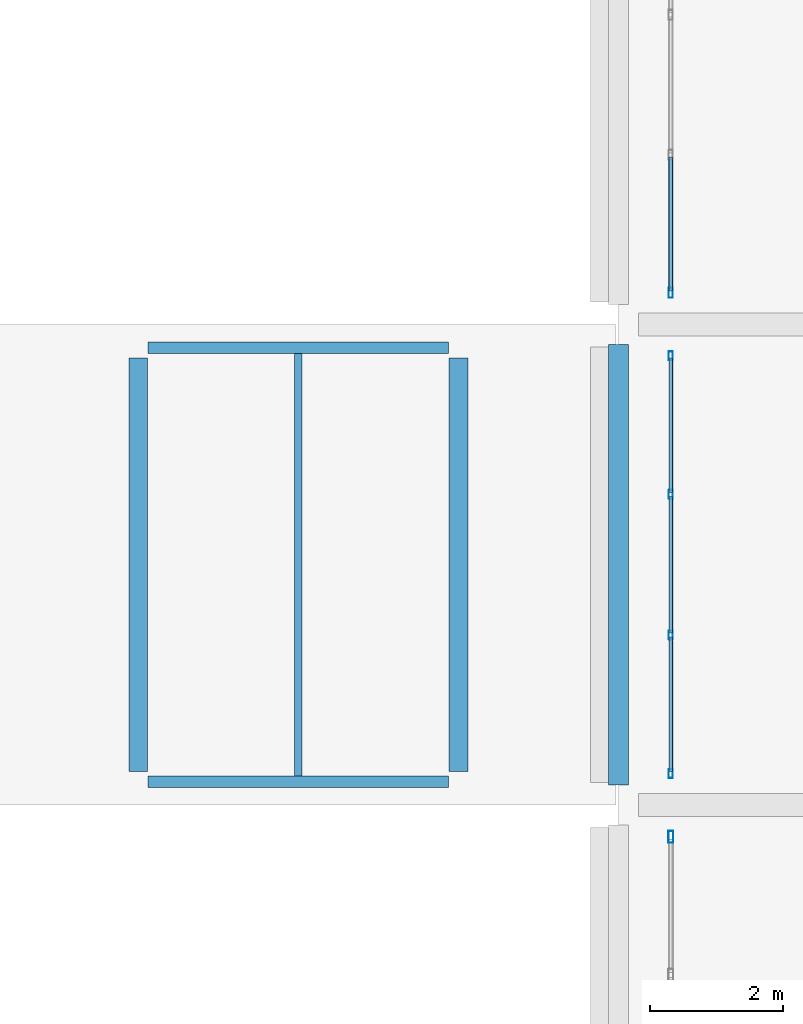
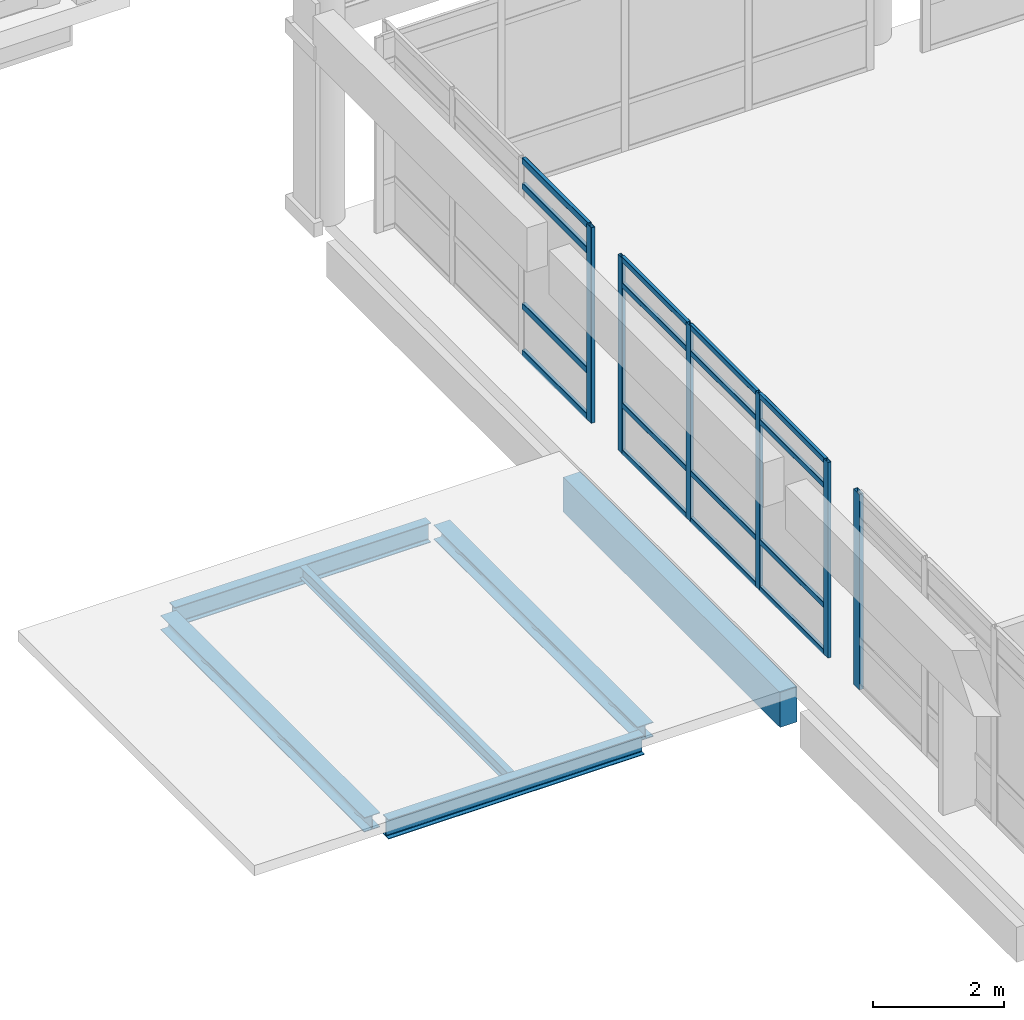
# One storey, part 64 of 180: 22 members, 6 beams, 3 elements without a shape of their own.
"""IFC4 building model written with IfcOpenShell, lengths in metres."""

from ifc_helpers import new_model, si_unit, direction, frame, origin, origin_2d, place, context, subcontext, project, spatial, rectangle, hollow_rectangle, i_section, extrude, material, layer, layer_set, material_profile, profile_set, type_object, element, aggregate, save


model = new_model("IFC4")

# Units and contexts
model_context = context("Model", 3, precision=1e-05, world=origin(), true_north=direction((0.0, 1.0)))
body_context = subcontext(model_context, "Body", "Model", "MODEL_VIEW")
ifc_project = project(units=[si_unit("LENGTHUNIT", "METRE"), si_unit("AREAUNIT", "SQUARE_METRE"), si_unit("VOLUMEUNIT", "CUBIC_METRE"), si_unit("PLANEANGLEUNIT", "RADIAN"), si_unit("MASSUNIT", "GRAM", prefix="KILO")], contexts=[model_context])

# Site, building, storey
site_placement = place(None, origin())
site = spatial("IfcSite", under=ifc_project, at=site_placement, CompositionType="ELEMENT")
building_placement = place(site_placement, origin())
building = spatial("IfcBuilding", under=site, at=building_placement, Name="Asteropetra Specialist Clinic", CompositionType="ELEMENT")
storey_placement = place(building_placement, frame((0.0, 0.0, 4.419921875)))
storey = spatial("IfcBuildingStorey", under=building, at=storey_placement, Name="L01", CompositionType="ELEMENT", Elevation=4.419921875)

# Beams
ifc_material_1 = material(Name="Steel S355", Category="steel")
ifc_material_profile_1 = material_profile(ifc_material_1, i_section(OverallWidth=0.280029296875, OverallDepth=0.27001953125, WebThickness=0.008056640625, FlangeThickness=0.012939453125, FilletRadius=0.02392578125, at=origin_2d()), Name="HEA 280")
ifc_profile_set_1 = profile_set([ifc_material_profile_1], Name="Steel S355")
beam_type_1 = type_object("IfcBeamType", Name="BM-STL-HEA280", PredefinedType="BEAM", material=ifc_profile_set_1)
for number, where, z_axis, x_axis, name in (
    (1, (69.60009765625, 48.5, -0.324951171875), (0.0, 1.0, 0.0), (-1.0, 0.0, 0.0), "Beam BBMS6-0840"),
    (2, (74.39990234375, 48.5, -0.324951171875), (0.0, 1.0, 0.0), (-1.0, 0.0, 0.0), "Beam BBMS6-0841"),
):
    element("IfcBeam", number, at=place(storey_placement, frame(where, z_axis=z_axis, x_axis=x_axis)), inside=storey, type_object=beam_type_1, Name=name, PredefinedType="BEAM", context=body_context, shape_type="SweptSolid", body=[
        extrude(i_section(OverallWidth=0.280029296875, OverallDepth=0.27001953125, WebThickness=0.008056640625, FlangeThickness=0.012939453125, FilletRadius=0.02392578125, at=origin_2d()), origin(), (0.0, 0.0, 1.0), 6.199951171875),
    ])
ifc_material_2 = material(Name="Steel S355", Category="steel")
ifc_material_profile_2 = material_profile(ifc_material_2, i_section(OverallWidth=0.169921875, OverallDepth=0.360107421875, WebThickness=0.008056640625, FlangeThickness=0.0126953125, FilletRadius=0.01806640625, at=origin_2d()), Name="IPE 360")
ifc_profile_set_2 = profile_set([ifc_material_profile_2], Name="Steel S355")
beam_type_2 = type_object("IfcBeamType", Name="BM-STL-IPE360", PredefinedType="BEAM", material=ifc_profile_set_2)
for number, where, z_axis, x_axis, name in (
    (3, (69.75, 48.35009765625, -0.369873046875), (1.0, 0.0, 0.0), (0.0, 1.0, 0.0), "Beam BBMS4-0838"),
    (4, (69.75, 54.85009765625, -0.369873046875), (1.0, 0.0, 0.0), (0.0, 1.0, 0.0), "Beam BBMS4-0839"),
):
    element("IfcBeam", number, at=place(storey_placement, frame(where, z_axis=z_axis, x_axis=x_axis)), inside=storey, type_object=beam_type_2, Name=name, PredefinedType="BEAM", context=body_context, shape_type="SweptSolid", body=[
        extrude(i_section(OverallWidth=0.169921875, OverallDepth=0.360107421875, WebThickness=0.008056640625, FlangeThickness=0.0126953125, FilletRadius=0.01806640625, at=origin_2d()), origin(), (0.0, 0.0, 1.0), 4.5),
    ])

# Curtain wall, members
ifc_material_3 = material(Name="Aluminium and low-E glass", Category="aluminium")
ifc_layer_1 = layer(ifc_material_3, 0.179931640625)
ifc_layer_set_1 = layer_set([ifc_layer_1], Name="Aluminium and low-E glass")
curtain_wall_type_1 = type_object("IfcCurtainWallType", Name="CW-SYS-10", PredefinedType="USERDEFINED", material=ifc_layer_set_1)
curtain_wall_1_placement = place(storey_placement, origin())
curtain_wall_1 = element("IfcCurtainWall", 5, at=curtain_wall_1_placement, inside=storey, type_object=curtain_wall_type_1, Name="Curtain Wall CW-179", ObjectType="STICK GLAZED COLONNADE", PredefinedType="USERDEFINED")
ifc_material_4 = material(Name="Aluminium 6063-T6", Category="aluminium")
ifc_material_profile_3 = material_profile(ifc_material_4, hollow_rectangle(XDim=0.06005859375, YDim=0.135009765625, WallThickness=0.00341796875, InnerFilletRadius=0.00341796875, OuterFilletRadius=0.007080078125, at=origin_2d()), Name="MUL 135x60x3.5")
ifc_profile_set_3 = profile_set([ifc_material_profile_3], Name="Aluminium 6063-T6")
member_type_1 = type_object("IfcMemberType", Name="CWM-135x60", PredefinedType="MULLION", material=ifc_profile_set_3)
member_1_placement = place(storey_placement, frame((77.580078125, 54.72998046875, 0.0), z_axis=(0.0, 0.0, 1.0), x_axis=(1.0, 0.0, 0.0)))
member_1 = element("IfcMember", 6, at=member_1_placement, type_object=member_type_1, Name="CW-179 mullion 1", PredefinedType="MULLION", context=body_context, shape_type="SweptSolid", body=[
    extrude(hollow_rectangle(XDim=0.06005859375, YDim=0.135009765625, WallThickness=0.00341796875, InnerFilletRadius=0.00341796875, OuterFilletRadius=0.007080078125, at=origin_2d()), origin(), (0.0, 0.0, 1.0), 3.630126953125),
])
member_2_placement = place(storey_placement, frame((77.580078125, 52.6533203125, 0.0), z_axis=(0.0, 0.0, 1.0), x_axis=(1.0, 0.0, 0.0)))
member_2 = element("IfcMember", 7, at=member_2_placement, type_object=member_type_1, Name="CW-179 mullion 2", PredefinedType="MULLION", context=body_context, shape_type="SweptSolid", body=[
    extrude(hollow_rectangle(XDim=0.06005859375, YDim=0.135009765625, WallThickness=0.00341796875, InnerFilletRadius=0.00341796875, OuterFilletRadius=0.007080078125, at=origin_2d()), origin(), (0.0, 0.0, 1.0), 3.630126953125),
])
member_3_placement = place(storey_placement, frame((77.580078125, 50.546630859375, 0.0), z_axis=(0.0, 0.0, 1.0), x_axis=(1.0, 0.0, 0.0)))
member_3 = element("IfcMember", 8, at=member_3_placement, type_object=member_type_1, Name="CW-179 mullion 3", PredefinedType="MULLION", context=body_context, shape_type="SweptSolid", body=[
    extrude(hollow_rectangle(XDim=0.06005859375, YDim=0.135009765625, WallThickness=0.00341796875, InnerFilletRadius=0.00341796875, OuterFilletRadius=0.007080078125, at=origin_2d()), origin(), (0.0, 0.0, 1.0), 3.630126953125),
])
member_4_placement = place(storey_placement, frame((77.580078125, 48.469970703125, 0.0), z_axis=(0.0, 0.0, 1.0), x_axis=(1.0, 0.0, 0.0)))
member_4 = element("IfcMember", 9, at=member_4_placement, type_object=member_type_1, Name="CW-179 mullion 4", PredefinedType="MULLION", context=body_context, shape_type="SweptSolid", body=[
    extrude(hollow_rectangle(XDim=0.06005859375, YDim=0.135009765625, WallThickness=0.00341796875, InnerFilletRadius=0.00341796875, OuterFilletRadius=0.007080078125, at=origin_2d()), origin(), (0.0, 0.0, 1.0), 3.630126953125),
])

# Curtain wall, member
ifc_material_5 = material(Name="Aluminium and low-E glass", Category="aluminium")
ifc_layer_2 = layer(ifc_material_5, 0.179931640625)
ifc_layer_set_2 = layer_set([ifc_layer_2], Name="Aluminium and low-E glass")
curtain_wall_type_2 = type_object("IfcCurtainWallType", Name="CW-SYS-01", PredefinedType="USERDEFINED", material=ifc_layer_set_2)
curtain_wall_2_placement = place(storey_placement, origin())
curtain_wall_2 = element("IfcCurtainWall", 10, at=curtain_wall_2_placement, inside=storey, type_object=curtain_wall_type_2, Name="Curtain Wall CW-181", ObjectType="UNITISED CURTAIN WALL", PredefinedType="USERDEFINED")
ifc_material_6 = material(Name="Aluminium 6063-T6", Category="aluminium")
ifc_material_profile_4 = material_profile(ifc_material_6, hollow_rectangle(XDim=0.06494140625, YDim=0.14990234375, WallThickness=0.00390625, InnerFilletRadius=0.00390625, OuterFilletRadius=0.008056640625, at=origin_2d()), Name="MUL 150x65x4.0")
ifc_profile_set_4 = profile_set([ifc_material_profile_4], Name="Aluminium 6063-T6")
member_type_2 = type_object("IfcMemberType", Name="CWM-150x65", PredefinedType="MULLION", material=ifc_profile_set_4)
member_5_placement = place(storey_placement, frame((77.580078125, 55.672607421875, 0.0), z_axis=(0.0, 0.0, 1.0), x_axis=(1.0, 0.0, 0.0)))
member_5 = element("IfcMember", 11, at=member_5_placement, type_object=member_type_2, Name="CW-181 mullion 4", PredefinedType="MULLION", context=body_context, shape_type="SweptSolid", body=[
    extrude(hollow_rectangle(XDim=0.06494140625, YDim=0.14990234375, WallThickness=0.00390625, InnerFilletRadius=0.00390625, OuterFilletRadius=0.008056640625, at=origin_2d()), origin(), (0.0, 0.0, 1.0), 3.630126953125),
])

curtain_wall_3_placement = place(storey_placement, origin())
curtain_wall_3 = element("IfcCurtainWall", 12, at=curtain_wall_3_placement, inside=storey, type_object=curtain_wall_type_1, Name="Curtain Wall CW-177", ObjectType="STICK GLAZED COLONNADE", PredefinedType="USERDEFINED")
ifc_material_7 = material(Name="Aluminium 6063-T6", Category="aluminium")
ifc_material_profile_5 = material_profile(ifc_material_7, hollow_rectangle(XDim=0.074951171875, YDim=0.179931640625, WallThickness=0.00390625, InnerFilletRadius=0.00390625, OuterFilletRadius=0.008056640625, at=origin_2d()), Name="MUL 180x75x4.0")
ifc_profile_set_5 = profile_set([ifc_material_profile_5], Name="Aluminium 6063-T6")
member_type_3 = type_object("IfcMemberType", Name="CWM-180x75", PredefinedType="MULLION", material=ifc_profile_set_5)
member_6_placement = place(storey_placement, frame((77.580078125, 47.5224609375, 0.0), z_axis=(0.0, 0.0, 1.0), x_axis=(1.0, 0.0, 0.0)))
member_6 = element("IfcMember", 13, at=member_6_placement, type_object=member_type_3, Name="CW-177 mullion 1", PredefinedType="MULLION", context=body_context, shape_type="SweptSolid", body=[
    extrude(hollow_rectangle(XDim=0.074951171875, YDim=0.179931640625, WallThickness=0.00390625, InnerFilletRadius=0.00390625, OuterFilletRadius=0.008056640625, at=origin_2d()), origin(), (0.0, 0.0, 1.0), 3.630126953125),
])
aggregate(curtain_wall_3, [member_6])

# Member
ifc_material_8 = material(Name="Aluminium 6063-T6", Category="aluminium")
ifc_material_profile_6 = material_profile(ifc_material_8, hollow_rectangle(XDim=0.06005859375, YDim=0.10009765625, WallThickness=0.00341796875, InnerFilletRadius=0.00341796875, OuterFilletRadius=0.007080078125, at=origin_2d()), Name="TRN 100x60x3.5")
ifc_profile_set_6 = profile_set([ifc_material_profile_6], Name="Aluminium 6063-T6")
member_type_4 = type_object("IfcMemberType", Name="CWT-100x60", PredefinedType="USERDEFINED", material=ifc_profile_set_6)
member_7_placement = place(storey_placement, frame((77.580078125, 54.699951171875, 0.030029296875), z_axis=(0.0, -1.0, 0.0), x_axis=(1.0, 0.0, 0.0)))
member_7 = element("IfcMember", 14, at=member_7_placement, type_object=member_type_4, Name="CW-179 transom 1.1", ObjectType="TRANSOM", PredefinedType="USERDEFINED", context=body_context, shape_type="SweptSolid", body=[
    extrude(hollow_rectangle(XDim=0.06005859375, YDim=0.10009765625, WallThickness=0.00341796875, InnerFilletRadius=0.00341796875, OuterFilletRadius=0.007080078125, at=origin_2d()), origin(), (0.0, 0.0, 1.0), 2.0166015625),
])

member_8_placement = place(storey_placement, frame((77.580078125, 54.699951171875, 0.900146484375), z_axis=(0.0, -1.0, 0.0), x_axis=(1.0, 0.0, 0.0)))
member_8 = element("IfcMember", 15, at=member_8_placement, type_object=member_type_4, Name="CW-179 transom 1.2", ObjectType="TRANSOM", PredefinedType="USERDEFINED", context=body_context, shape_type="SweptSolid", body=[
    extrude(hollow_rectangle(XDim=0.06005859375, YDim=0.10009765625, WallThickness=0.00341796875, InnerFilletRadius=0.00341796875, OuterFilletRadius=0.007080078125, at=origin_2d()), origin(), (0.0, 0.0, 1.0), 2.0166015625),
])

member_9_placement = place(storey_placement, frame((77.580078125, 54.699951171875, 3.130126953125), z_axis=(0.0, -1.0, 0.0), x_axis=(1.0, 0.0, 0.0)))
member_9 = element("IfcMember", 16, at=member_9_placement, type_object=member_type_4, Name="CW-179 transom 1.3", ObjectType="TRANSOM", PredefinedType="USERDEFINED", context=body_context, shape_type="SweptSolid", body=[
    extrude(hollow_rectangle(XDim=0.06005859375, YDim=0.10009765625, WallThickness=0.00341796875, InnerFilletRadius=0.00341796875, OuterFilletRadius=0.007080078125, at=origin_2d()), origin(), (0.0, 0.0, 1.0), 2.0166015625),
])

member_10_placement = place(storey_placement, frame((77.580078125, 54.699951171875, 3.60009765625), z_axis=(0.0, -1.0, 0.0), x_axis=(1.0, 0.0, 0.0)))
member_10 = element("IfcMember", 17, at=member_10_placement, type_object=member_type_4, Name="CW-179 transom 1.4", ObjectType="TRANSOM", PredefinedType="USERDEFINED", context=body_context, shape_type="SweptSolid", body=[
    extrude(hollow_rectangle(XDim=0.06005859375, YDim=0.10009765625, WallThickness=0.00341796875, InnerFilletRadius=0.00341796875, OuterFilletRadius=0.007080078125, at=origin_2d()), origin(), (0.0, 0.0, 1.0), 2.0166015625),
])

member_11_placement = place(storey_placement, frame((77.580078125, 52.623291015625, 0.030029296875), z_axis=(0.0, -1.0, 0.0), x_axis=(1.0, 0.0, 0.0)))
member_11 = element("IfcMember", 18, at=member_11_placement, type_object=member_type_4, Name="CW-179 transom 2.1", ObjectType="TRANSOM", PredefinedType="USERDEFINED", context=body_context, shape_type="SweptSolid", body=[
    extrude(hollow_rectangle(XDim=0.06005859375, YDim=0.10009765625, WallThickness=0.00341796875, InnerFilletRadius=0.00341796875, OuterFilletRadius=0.007080078125, at=origin_2d()), origin(), (0.0, 0.0, 1.0), 2.046630859375),
])

member_12_placement = place(storey_placement, frame((77.580078125, 52.623291015625, 0.900146484375), z_axis=(0.0, -1.0, 0.0), x_axis=(1.0, 0.0, 0.0)))
member_12 = element("IfcMember", 19, at=member_12_placement, type_object=member_type_4, Name="CW-179 transom 2.2", ObjectType="TRANSOM", PredefinedType="USERDEFINED", context=body_context, shape_type="SweptSolid", body=[
    extrude(hollow_rectangle(XDim=0.06005859375, YDim=0.10009765625, WallThickness=0.00341796875, InnerFilletRadius=0.00341796875, OuterFilletRadius=0.007080078125, at=origin_2d()), origin(), (0.0, 0.0, 1.0), 2.046630859375),
])

member_13_placement = place(storey_placement, frame((77.580078125, 52.623291015625, 3.130126953125), z_axis=(0.0, -1.0, 0.0), x_axis=(1.0, 0.0, 0.0)))
member_13 = element("IfcMember", 20, at=member_13_placement, type_object=member_type_4, Name="CW-179 transom 2.3", ObjectType="TRANSOM", PredefinedType="USERDEFINED", context=body_context, shape_type="SweptSolid", body=[
    extrude(hollow_rectangle(XDim=0.06005859375, YDim=0.10009765625, WallThickness=0.00341796875, InnerFilletRadius=0.00341796875, OuterFilletRadius=0.007080078125, at=origin_2d()), origin(), (0.0, 0.0, 1.0), 2.046630859375),
])

member_14_placement = place(storey_placement, frame((77.580078125, 52.623291015625, 3.60009765625), z_axis=(0.0, -1.0, 0.0), x_axis=(1.0, 0.0, 0.0)))
member_14 = element("IfcMember", 21, at=member_14_placement, type_object=member_type_4, Name="CW-179 transom 2.4", ObjectType="TRANSOM", PredefinedType="USERDEFINED", context=body_context, shape_type="SweptSolid", body=[
    extrude(hollow_rectangle(XDim=0.06005859375, YDim=0.10009765625, WallThickness=0.00341796875, InnerFilletRadius=0.00341796875, OuterFilletRadius=0.007080078125, at=origin_2d()), origin(), (0.0, 0.0, 1.0), 2.046630859375),
])

member_15_placement = place(storey_placement, frame((77.580078125, 50.5166015625, 0.030029296875), z_axis=(0.0, -1.0, 0.0), x_axis=(1.0, 0.0, 0.0)))
member_15 = element("IfcMember", 22, at=member_15_placement, type_object=member_type_4, Name="CW-179 transom 3.1", ObjectType="TRANSOM", PredefinedType="USERDEFINED", context=body_context, shape_type="SweptSolid", body=[
    extrude(hollow_rectangle(XDim=0.06005859375, YDim=0.10009765625, WallThickness=0.00341796875, InnerFilletRadius=0.00341796875, OuterFilletRadius=0.007080078125, at=origin_2d()), origin(), (0.0, 0.0, 1.0), 2.0166015625),
])

member_16_placement = place(storey_placement, frame((77.580078125, 50.5166015625, 0.900146484375), z_axis=(0.0, -1.0, 0.0), x_axis=(1.0, 0.0, 0.0)))
member_16 = element("IfcMember", 23, at=member_16_placement, type_object=member_type_4, Name="CW-179 transom 3.2", ObjectType="TRANSOM", PredefinedType="USERDEFINED", context=body_context, shape_type="SweptSolid", body=[
    extrude(hollow_rectangle(XDim=0.06005859375, YDim=0.10009765625, WallThickness=0.00341796875, InnerFilletRadius=0.00341796875, OuterFilletRadius=0.007080078125, at=origin_2d()), origin(), (0.0, 0.0, 1.0), 2.0166015625),
])

member_17_placement = place(storey_placement, frame((77.580078125, 50.5166015625, 3.130126953125), z_axis=(0.0, -1.0, 0.0), x_axis=(1.0, 0.0, 0.0)))
member_17 = element("IfcMember", 24, at=member_17_placement, type_object=member_type_4, Name="CW-179 transom 3.3", ObjectType="TRANSOM", PredefinedType="USERDEFINED", context=body_context, shape_type="SweptSolid", body=[
    extrude(hollow_rectangle(XDim=0.06005859375, YDim=0.10009765625, WallThickness=0.00341796875, InnerFilletRadius=0.00341796875, OuterFilletRadius=0.007080078125, at=origin_2d()), origin(), (0.0, 0.0, 1.0), 2.0166015625),
])

member_18_placement = place(storey_placement, frame((77.580078125, 50.5166015625, 3.60009765625), z_axis=(0.0, -1.0, 0.0), x_axis=(1.0, 0.0, 0.0)))
member_18 = element("IfcMember", 25, at=member_18_placement, type_object=member_type_4, Name="CW-179 transom 3.4", ObjectType="TRANSOM", PredefinedType="USERDEFINED", context=body_context, shape_type="SweptSolid", body=[
    extrude(hollow_rectangle(XDim=0.06005859375, YDim=0.10009765625, WallThickness=0.00341796875, InnerFilletRadius=0.00341796875, OuterFilletRadius=0.007080078125, at=origin_2d()), origin(), (0.0, 0.0, 1.0), 2.0166015625),
])

aggregate(curtain_wall_1, [member_1, member_2, member_3, member_4, member_7, member_8, member_9, member_10, member_11, member_12, member_13, member_14, member_15, member_16, member_17, member_18])

ifc_material_9 = material(Name="Aluminium 6063-T6", Category="aluminium")
ifc_material_profile_7 = material_profile(ifc_material_9, hollow_rectangle(XDim=0.06494140625, YDim=0.1201171875, WallThickness=0.00390625, InnerFilletRadius=0.00390625, OuterFilletRadius=0.008056640625, at=origin_2d()), Name="TRN 120x65x4.0")
ifc_profile_set_7 = profile_set([ifc_material_profile_7], Name="Aluminium 6063-T6")
member_type_5 = type_object("IfcMemberType", Name="CWT-120x65", PredefinedType="USERDEFINED", material=ifc_profile_set_7)
member_19_placement = place(storey_placement, frame((77.580078125, 57.70751953125, 0.032470703125), z_axis=(0.0, -1.0, 0.0), x_axis=(1.0, 0.0, 0.0)))
member_19 = element("IfcMember", 26, at=member_19_placement, type_object=member_type_5, Name="CW-181 transom 3.1", ObjectType="TRANSOM", PredefinedType="USERDEFINED", context=body_context, shape_type="SweptSolid", body=[
    extrude(hollow_rectangle(XDim=0.06494140625, YDim=0.1201171875, WallThickness=0.00390625, InnerFilletRadius=0.00390625, OuterFilletRadius=0.008056640625, at=origin_2d()), origin(), (0.0, 0.0, 1.0), 2.00244140625),
])

member_20_placement = place(storey_placement, frame((77.580078125, 57.70751953125, 0.900146484375), z_axis=(0.0, -1.0, 0.0), x_axis=(1.0, 0.0, 0.0)))
member_20 = element("IfcMember", 27, at=member_20_placement, type_object=member_type_5, Name="CW-181 transom 3.2", ObjectType="TRANSOM", PredefinedType="USERDEFINED", context=body_context, shape_type="SweptSolid", body=[
    extrude(hollow_rectangle(XDim=0.06494140625, YDim=0.1201171875, WallThickness=0.00390625, InnerFilletRadius=0.00390625, OuterFilletRadius=0.008056640625, at=origin_2d()), origin(), (0.0, 0.0, 1.0), 2.00244140625),
])

member_21_placement = place(storey_placement, frame((77.580078125, 57.70751953125, 3.130126953125), z_axis=(0.0, -1.0, 0.0), x_axis=(1.0, 0.0, 0.0)))
member_21 = element("IfcMember", 28, at=member_21_placement, type_object=member_type_5, Name="CW-181 transom 3.3", ObjectType="TRANSOM", PredefinedType="USERDEFINED", context=body_context, shape_type="SweptSolid", body=[
    extrude(hollow_rectangle(XDim=0.06494140625, YDim=0.1201171875, WallThickness=0.00390625, InnerFilletRadius=0.00390625, OuterFilletRadius=0.008056640625, at=origin_2d()), origin(), (0.0, 0.0, 1.0), 2.00244140625),
])

member_22_placement = place(storey_placement, frame((77.580078125, 57.70751953125, 3.59765625), z_axis=(0.0, -1.0, 0.0), x_axis=(1.0, 0.0, 0.0)))
member_22 = element("IfcMember", 29, at=member_22_placement, type_object=member_type_5, Name="CW-181 transom 3.4", ObjectType="TRANSOM", PredefinedType="USERDEFINED", context=body_context, shape_type="SweptSolid", body=[
    extrude(hollow_rectangle(XDim=0.06494140625, YDim=0.1201171875, WallThickness=0.00390625, InnerFilletRadius=0.00390625, OuterFilletRadius=0.008056640625, at=origin_2d()), origin(), (0.0, 0.0, 1.0), 2.00244140625),
])

aggregate(curtain_wall_2, [member_5, member_19, member_20, member_21, member_22])

# Beams
ifc_material_10 = material(Name="Steel S355", Category="steel")
ifc_material_profile_8 = material_profile(ifc_material_10, i_section(OverallWidth=0.110107421875, OverallDepth=0.219970703125, WebThickness=0.005859375, FlangeThickness=0.00927734375, FilletRadius=0.011962890625, at=origin_2d()), Name="IPE 220")
ifc_profile_set_8 = profile_set([ifc_material_profile_8], Name="Steel S355")
beam_type_3 = type_object("IfcBeamType", Name="JST-STL-IPE220", PredefinedType="JOIST", material=ifc_profile_set_8)
beam_1_placement = place(storey_placement, frame((72.0, 48.43505859375, -0.2998046875), z_axis=(0.0, 1.0, 0.0), x_axis=(-1.0, 0.0, 0.0)))
element("IfcBeam", 30, at=beam_1_placement, inside=storey, type_object=beam_type_3, Name="Joist JJSTS2-0842", PredefinedType="JOIST", context=body_context, shape_type="SweptSolid", body=[
    extrude(i_section(OverallWidth=0.110107421875, OverallDepth=0.219970703125, WebThickness=0.005859375, FlangeThickness=0.00927734375, FilletRadius=0.011962890625, at=origin_2d()), origin(), (0.0, 0.0, 1.0), 6.329833984375),
])
ifc_material_11 = material(Name="Concrete C35/45", Category="concrete")
ifc_material_profile_9 = material_profile(ifc_material_11, rectangle(XDim=0.300048828125, YDim=0.64990234375, at=origin_2d()), Name="RCS 300x650")
ifc_profile_set_9 = profile_set([ifc_material_profile_9], Name="Concrete C35/45")
beam_type_4 = type_object("IfcBeamType", Name="SPN-RC300x650", PredefinedType="SPANDREL", material=ifc_profile_set_9)
beam_2_placement = place(storey_placement, frame((76.800048828125, 48.300048828125, -0.5849609375), z_axis=(0.0, 1.0, 0.0), x_axis=(-1.0, 0.0, 0.0)))
element("IfcBeam", 31, at=beam_2_placement, inside=storey, type_object=beam_type_4, Name="Beam BSPN03-0786", PredefinedType="SPANDREL", context=body_context, shape_type="SweptSolid", body=[
    extrude(rectangle(XDim=0.300048828125, YDim=0.64990234375, at=origin_2d()), origin(), (0.0, 0.0, 1.0), 6.599853515625),
])

save(model, "model.ifc")
